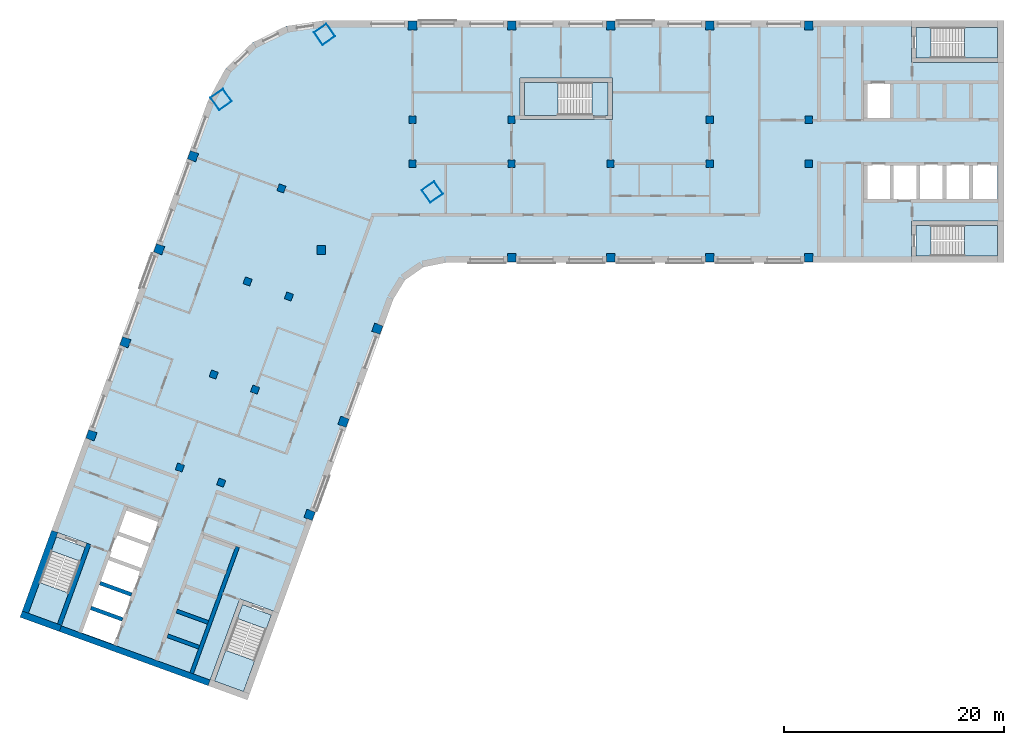
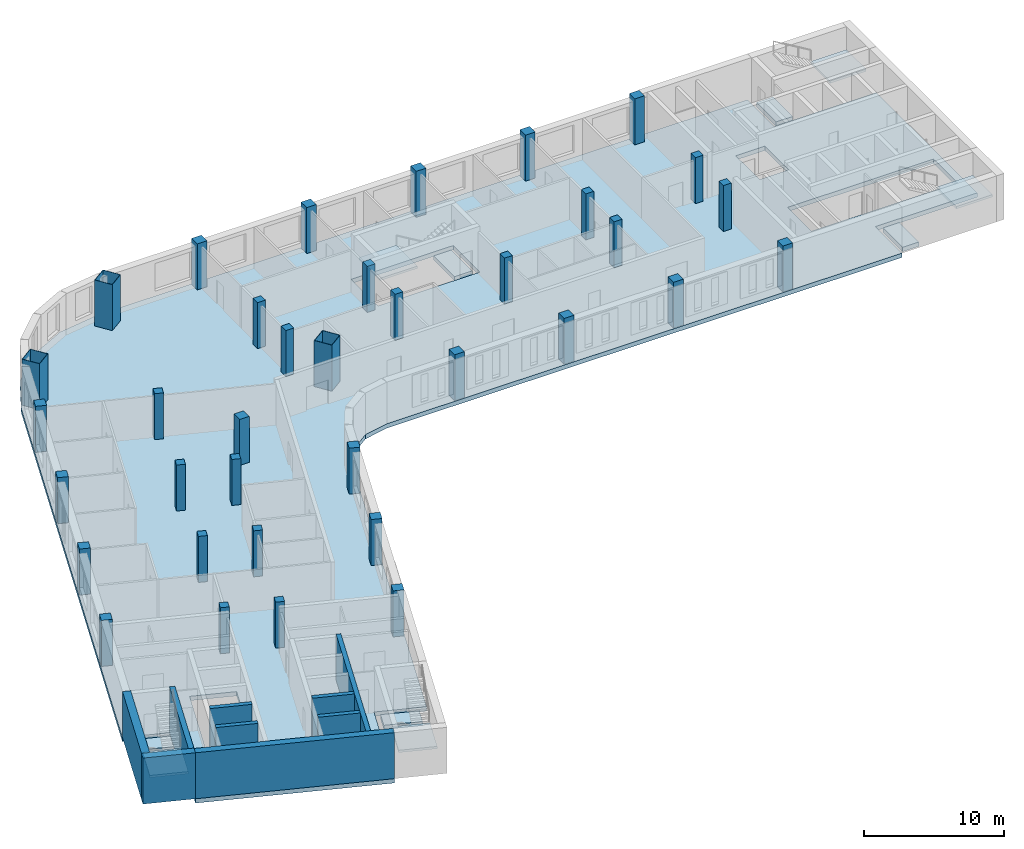
# One storey, part 1 of 9: 36 columns, 11 slabs, 9 walls, 5 elements without a shape of their own.
"""IFC4 building model written with IfcOpenShell, lengths in metres."""

import ifcopenshell
import ifcopenshell.guid

model = None  # the IFC model being written
_history = None  # IfcOwnerHistory: only IFC2X3 demands one
_inside = {}  # id of a spatial element -> (the spatial element, [elements in it])
_under = {}  # id of a project, library or spatial element -> (it, [spatial elements below it])
_declared = {}  # id of a project -> (the project, [libraries it declares])
_typed = {}  # id of a type object -> (the type object, [elements of that type])
_made_of = {}  # id of a material, layer set ... -> (it, [elements and type objects made of it])


def new_model(schema):
    """Start an empty IFC model of exactly this schema.

    Asked for "IFC4X3", IfcOpenShell would pick the latest addendum, in which some entities
    have other attributes; the version numbers below select the first issue.
    IFC2X3 requires an IfcOwnerHistory on every rooted entity: one is made here for all.
    """
    global model, _history
    if schema == "IFC4X3":
        model = ifcopenshell.file(schema_version=(4, 3, 0, 0))
    else:
        model = ifcopenshell.file(schema=schema)
    _inside.clear()
    _under.clear()
    _declared.clear()
    _typed.clear()
    _made_of.clear()
    _history = None
    if model.schema == "IFC2X3":
        org = make("IfcOrganization", Name="unknown")
        user = make(
            "IfcPersonAndOrganization",
            ThePerson=make("IfcPerson", FamilyName="unknown"),
            TheOrganization=org,
        )
        app = make(
            "IfcApplication",
            ApplicationDeveloper=org,
            Version="unknown",
            ApplicationFullName="unknown",
            ApplicationIdentifier="unknown",
        )
        _history = make(
            "IfcOwnerHistory",
            OwningUser=user,
            OwningApplication=app,
            ChangeAction="ADDED",
            CreationDate=0,
        )
    return model


def make(cls, **values):
    """One entity of the class cls with the attributes given. An attribute that is None is left unset."""
    return model.create_entity(
        cls, **{name: value for name, value in values.items() if value is not None}
    )


def rooted(cls, **values):
    """An entity with a GlobalId (a new one), such as an element, a storey or a relation."""
    return make(cls, GlobalId=ifcopenshell.guid.new(), OwnerHistory=_history, **values)


def si_unit(unit_type, name, prefix=None):
    """IfcSIUnit, for example si_unit("LENGTHUNIT", "METRE", prefix="MILLI")."""
    return make("IfcSIUnit", UnitType=unit_type, Prefix=prefix, Name=name)


def assignment(units):
    """IfcUnitAssignment: the units of a project."""
    return None if units is None else make("IfcUnitAssignment", Units=units)


def point(xyz):
    """IfcCartesianPoint."""
    return None if xyz is None else make("IfcCartesianPoint", Coordinates=xyz)


def direction(xyz):
    """IfcDirection."""
    return None if xyz is None else make("IfcDirection", DirectionRatios=xyz)


def frame(location, z_axis=None, x_axis=None):
    """IfcAxis2Placement3D, a coordinate frame: its origin and axes. An axis left out is left unset."""
    return make(
        "IfcAxis2Placement3D",
        Location=point(location),
        Axis=direction(z_axis),
        RefDirection=direction(x_axis),
    )


def frame_2d(location, x_axis=None):
    """IfcAxis2Placement2D, a coordinate frame in the plane: its origin and x axis."""
    return make(
        "IfcAxis2Placement2D", Location=point(location), RefDirection=direction(x_axis)
    )


def origin():
    """The frame at (0, 0, 0) with its axes left unset."""
    return frame((0.0, 0.0, 0.0))


def origin_2d():
    """The frame at (0, 0) in the plane with its x axis left unset."""
    return frame_2d((0.0, 0.0))


def place(relative_to, where):
    """IfcLocalPlacement: puts the frame where relative to a parent placement (None: the world)."""
    return make(
        "IfcLocalPlacement", PlacementRelTo=relative_to, RelativePlacement=where
    )


def context(
    kind, dimensions, precision=None, world=None, true_north=None, identifier=None
):
    """IfcGeometricRepresentationContext, for example the 3D "Model" context."""
    return make(
        "IfcGeometricRepresentationContext",
        ContextIdentifier=identifier,
        ContextType=kind,
        CoordinateSpaceDimension=dimensions,
        Precision=precision,
        WorldCoordinateSystem=world,
        TrueNorth=true_north,
    )


def subcontext(parent, identifier, kind, view, scale=None):
    """IfcGeometricRepresentationSubContext, for example "Body" below "Model"."""
    return make(
        "IfcGeometricRepresentationSubContext",
        ContextIdentifier=identifier,
        ContextType=kind,
        ParentContext=parent,
        TargetScale=scale,
        TargetView=view,
    )


def project(units=None, contexts=None):
    """IfcProject with its units and contexts."""
    return rooted(
        "IfcProject",
        Name="project",
        RepresentationContexts=contexts,
        UnitsInContext=assignment(units),
    )


def spatial(cls, under=None, at=None, **own):
    """A site, building, storey or space (cls), placed at a placement, below another one or the project."""
    s = rooted(cls, ObjectPlacement=at, **own)
    if under is not None:
        _under.setdefault(under.id(), (under, []))[1].append(s)
    return s


def polyline(points):
    """IfcPolyline through the points."""
    return make("IfcPolyline", Points=[point(p) for p in points])


def profile(cls, at=None, kind="AREA", **sizes):
    """A parametric profile (cls). Its sizes go by their IFC names, for example OverallWidth=200.0."""
    return make(cls, ProfileType=kind, Position=at, **sizes)


def rectangle(**sizes):
    """IfcRectangleProfileDef."""
    return profile("IfcRectangleProfileDef", **sizes)


def hollow_rectangle(**sizes):
    """IfcRectangleHollowProfileDef."""
    return profile("IfcRectangleHollowProfileDef", **sizes)


def outline(outer, holes=None, kind="AREA"):
    """IfcArbitraryClosedProfileDef: a profile drawn as a closed curve; with holes, ...WithVoids."""
    if holes is None:
        return make("IfcArbitraryClosedProfileDef", ProfileType=kind, OuterCurve=outer)
    return make(
        "IfcArbitraryProfileDefWithVoids",
        ProfileType=kind,
        OuterCurve=outer,
        InnerCurves=holes,
    )


def extrude(swept, where, along, depth):
    """IfcExtrudedAreaSolid: the profile swept, set in the frame where, extruded along a direction by depth."""
    return make(
        "IfcExtrudedAreaSolid",
        SweptArea=swept,
        Position=where,
        ExtrudedDirection=direction(along),
        Depth=depth,
    )


def shape(context_of_items, identifier, shape_type, items):
    """IfcShapeRepresentation: the items that make up one representation, for example the "Body"."""
    return make(
        "IfcShapeRepresentation",
        ContextOfItems=context_of_items,
        RepresentationIdentifier=identifier,
        RepresentationType=shape_type,
        Items=items,
    )


def material(Name=None, Category=None):
    """IfcMaterial."""
    return make("IfcMaterial", Name=Name, Category=Category)


def layer(
    of_material, thickness, ventilated=None, Name=None, Category=None, Priority=None
):
    """IfcMaterialLayer: one layer of a wall or slab, of a material (None: an air gap)."""
    return make(
        "IfcMaterialLayer",
        Material=of_material,
        LayerThickness=thickness,
        IsVentilated=ventilated,
        Name=Name,
        Category=Category,
        Priority=Priority,
    )


def layer_set(layers, Name=None):
    """IfcMaterialLayerSet."""
    return make("IfcMaterialLayerSet", MaterialLayers=layers, LayerSetName=Name)


def material_profile(
    of_material, cross_section, Name=None, Category=None, Priority=None
):
    """IfcMaterialProfile: a cross section and its material."""
    return make(
        "IfcMaterialProfile",
        Name=Name,
        Material=of_material,
        Profile=cross_section,
        Priority=Priority,
        Category=Category,
    )


def profile_set(profiles, Name=None, composite=None):
    """IfcMaterialProfileSet."""
    return make(
        "IfcMaterialProfileSet",
        Name=Name,
        MaterialProfiles=profiles,
        CompositeProfile=composite,
    )


def made_of(thing, what):
    """Note that an element or type object is made of a material, layer set ...; save() writes the relation."""
    if what is not None:
        _made_of.setdefault(what.id(), (what, []))[1].append(thing)
    return thing


def type_object(cls, material=None, **own):
    """A type object (cls), such as IfcWallType, which elements share."""
    return made_of(rooted(cls, **own), material)


def element(
    cls,
    number,
    at=None,
    inside=None,
    cuts=None,
    type_object=None,
    material=None,
    context=None,
    identifier="Body",
    shape_type=None,
    held_by="IfcProductDefinitionShape",
    body=None,
    shapes=None,
    **own,
):
    """One element of the class cls, such as IfcWall. Its Tag is "e" and its number.

    at: its placement. inside: the storey or other place that contains it. cuts: it is an
    opening in that element (IfcRelVoidsElement). A single representation is given by context,
    identifier, shape_type and body (its items); several are given by shapes. held_by: the class
    of the entity that holds the representations. save() writes the other relations.
    """
    e = rooted(cls, Tag="e%d" % number, ObjectPlacement=at, **own)
    if body is not None:
        shapes = [shape(context, identifier, shape_type, body)]
    if shapes is not None:
        e.Representation = make(held_by, Representations=shapes)
    if inside is not None:
        _inside.setdefault(inside.id(), (inside, []))[1].append(e)
    if cuts is not None:
        rooted(
            "IfcRelVoidsElement", RelatingBuildingElement=cuts, RelatedOpeningElement=e
        )
    if type_object is not None:
        _typed.setdefault(type_object.id(), (type_object, []))[1].append(e)
    return made_of(e, material)


def aggregate(whole, parts):
    """IfcRelAggregates: a whole, such as a stair, and the parts it consists of."""
    return rooted("IfcRelAggregates", RelatingObject=whole, RelatedObjects=parts)


def save(model, path):
    """Write the relations noted so far, then the file.

    IfcRelAggregates (storeys below a building ...), IfcRelContainedInSpatialStructure (elements
    in a storey), IfcRelDefinesByType, IfcRelAssociatesMaterial and IfcRelDeclares: one each for
    every whole, place, type object, material and project.
    """
    for whole, parts in _under.values():
        aggregate(whole, parts)
    for where, things in _inside.values():
        rooted(
            "IfcRelContainedInSpatialStructure",
            RelatedElements=things,
            RelatingStructure=where,
        )
    for kind, things in _typed.values():
        rooted("IfcRelDefinesByType", RelatedObjects=things, RelatingType=kind)
    for what, things in _made_of.values():
        rooted("IfcRelAssociatesMaterial", RelatedObjects=things, RelatingMaterial=what)
    for by, libraries in _declared.values():
        rooted("IfcRelDeclares", RelatingContext=by, RelatedDefinitions=libraries)
    model.write(path)


model = new_model("IFC4")

# Units and contexts
model_context = context("Model", 3, precision=1e-05, world=origin(), true_north=direction((0.0, 1.0)))
body_context = subcontext(model_context, "Body", "Model", "MODEL_VIEW")
ifc_project = project(units=[si_unit("LENGTHUNIT", "METRE"), si_unit("AREAUNIT", "SQUARE_METRE"), si_unit("VOLUMEUNIT", "CUBIC_METRE"), si_unit("PLANEANGLEUNIT", "RADIAN"), si_unit("MASSUNIT", "GRAM", prefix="KILO")], contexts=[model_context])

# Site, building, storey
site_placement = place(None, origin())
site = spatial("IfcSite", under=ifc_project, at=site_placement, CompositionType="ELEMENT")
building_placement = place(site_placement, origin())
building = spatial("IfcBuilding", under=site, at=building_placement, Name="Skarvind Civic Tower", CompositionType="ELEMENT")
storey_placement = place(building_placement, frame((0.0, 0.0, 158.5)))
storey = spatial("IfcBuildingStorey", under=building, at=storey_placement, Name="L37", CompositionType="ELEMENT", Elevation=158.5)

# Columns
ifc_material_1 = material(Name="Concrete C60", Category="concrete")
ifc_material_profile_1 = material_profile(ifc_material_1, rectangle(XDim=0.64990234375, YDim=0.64990234375, at=origin_2d()), Name="RC-650x650")
ifc_profile_set_1 = profile_set([ifc_material_profile_1], Name="Concrete C60")
column_type_1 = type_object("IfcColumnType", Name="Column RC-650x650 C60", PredefinedType="COLUMN", material=ifc_profile_set_1)
for number, where, z_axis, x_axis, name in (
    (1, (54.25, 130.0, 0.0), (0.0, 0.0, 1.0), (1.0, 0.0, 0.0), "Column wing 1 north inner 02 L37"),
    (2, (63.25, 130.0, 0.0), (0.0, 0.0, 1.0), (1.0, 0.0, 0.0), "Column wing 1 north inner 03 L37"),
    (3, (81.25, 130.0, 0.0), (0.0, 0.0, 1.0), (1.0, 0.0, 0.0), "Column wing 1 north inner 05 L37"),
    (4, (90.25, 130.0, 0.0), (0.0, 0.0, 1.0), (1.0, 0.0, 0.0), "Column wing 1 north inner 06 L37"),
    (5, (54.25, 126.0, 0.0), (0.0, 0.0, 1.0), (1.0, 0.0, 0.0), "Column wing 1 south inner 02 L37"),
    (6, (63.25, 126.0, 0.0), (0.0, 0.0, 1.0), (1.0, 0.0, 0.0), "Column wing 1 south inner 03 L37"),
    (7, (72.25, 126.0, 0.0), (0.0, 0.0, 1.0), (1.0, 0.0, 0.0), "Column wing 1 south inner 04 L37"),
    (8, (81.25, 126.0, 0.0), (0.0, 0.0, 1.0), (1.0, 0.0, 0.0), "Column wing 1 south inner 05 L37"),
    (9, (90.25, 126.0, 0.0), (0.0, 0.0, 1.0), (1.0, 0.0, 0.0), "Column wing 1 south inner 06 L37"),
    (10, (43.005615234375, 113.92529296875, 0.0), (0.0, 0.0, 1.0), (-0.342020143326, -0.939692620786, 0.0), "Column wing 2 left inner 02 L37"),
    (11, (39.927490234375, 105.468017578125, 0.0), (0.0, 0.0, 1.0), (-0.342020143326, -0.939692620786, 0.0), "Column wing 2 left inner 03 L37"),
    (12, (36.84912109375, 97.010986328125, 0.0), (0.0, 0.0, 1.0), (-0.342020143326, -0.939692620786, 0.0), "Column wing 2 left inner 04 L37"),
    (13, (42.324951171875, 123.750732421875, 0.0), (0.0, 0.0, 1.0), (-0.342020143326, -0.939692620786, 0.0), "Column wing 2 right inner 01 L37"),
    (14, (39.246826171875, 115.29345703125, 0.0), (0.0, 0.0, 1.0), (-0.342020143326, -0.939692620786, 0.0), "Column wing 2 right inner 02 L37"),
    (15, (36.168701171875, 106.836181640625, 0.0), (0.0, 0.0, 1.0), (-0.342020143326, -0.939692620786, 0.0), "Column wing 2 right inner 03 L37"),
    (16, (33.090576171875, 98.37890625, 0.0), (0.0, 0.0, 1.0), (-0.342020143326, -0.939692620786, 0.0), "Column wing 2 right inner 04 L37"),
):
    element("IfcColumn", number, at=place(storey_placement, frame(where, z_axis=z_axis, x_axis=x_axis)), inside=storey, type_object=column_type_1, Name=name, PredefinedType="COLUMN", context=body_context, shape_type="SweptSolid", body=[
        extrude(rectangle(XDim=0.64990234375, YDim=0.64990234375, at=origin_2d()), origin(), (0.0, 0.0, 1.0), 4.0),
    ])
ifc_material_profile_2 = material_profile(ifc_material_1, rectangle(XDim=0.800048828125, YDim=0.800048828125, at=origin_2d()), Name="RC-800x800")
ifc_profile_set_2 = profile_set([ifc_material_profile_2], Name="Concrete C60")
column_type_2 = type_object("IfcColumnType", Name="Column RC-800x800 C60", PredefinedType="COLUMN", material=ifc_profile_set_2)
for number, where, z_axis, x_axis, name in (
    (17, (54.25, 138.550048828125, 0.0), (0.0, 0.0, 1.0), (1.0, 0.0, 0.0), "Column wing 1 north perimeter 02 L37"),
    (18, (63.25, 138.550048828125, 0.0), (0.0, 0.0, 1.0), (1.0, 0.0, 0.0), "Column wing 1 north perimeter 03 L37"),
    (19, (72.25, 138.550048828125, 0.0), (0.0, 0.0, 1.0), (1.0, 0.0, 0.0), "Column wing 1 north perimeter 04 L37"),
    (20, (81.25, 138.550048828125, 0.0), (0.0, 0.0, 1.0), (1.0, 0.0, 0.0), "Column wing 1 north perimeter 05 L37"),
    (21, (90.25, 138.550048828125, 0.0), (0.0, 0.0, 1.0), (1.0, 0.0, 0.0), "Column wing 1 north perimeter 06 L37"),
    (22, (45.95166015625, 118.151611328125, 0.0), (0.0, 0.0, 1.0), (1.0, 0.0, 0.0), "Column wing 1 south perimeter 01 L37"),
    (23, (63.25, 117.449951171875, 0.0), (0.0, 0.0, 1.0), (1.0, 0.0, 0.0), "Column wing 1 south perimeter 03 L37"),
    (24, (72.25, 117.449951171875, 0.0), (0.0, 0.0, 1.0), (1.0, 0.0, 0.0), "Column wing 1 south perimeter 04 L37"),
    (25, (81.25, 117.449951171875, 0.0), (0.0, 0.0, 1.0), (1.0, 0.0, 0.0), "Column wing 1 south perimeter 05 L37"),
    (26, (90.25, 117.449951171875, 0.0), (0.0, 0.0, 1.0), (1.0, 0.0, 0.0), "Column wing 1 south perimeter 06 L37"),
    (27, (51.0400390625, 111.0009765625, 0.0), (0.0, 0.0, 1.0), (-0.342020143326, -0.939692620786, 0.0), "Column wing 2 left perimeter 02 L37"),
    (28, (47.961669921875, 102.5439453125, 0.0), (0.0, 0.0, 1.0), (-0.342020143326, -0.939692620786, 0.0), "Column wing 2 left perimeter 03 L37"),
    (29, (44.883544921875, 94.086669921875, 0.0), (0.0, 0.0, 1.0), (-0.342020143326, -0.939692620786, 0.0), "Column wing 2 left perimeter 04 L37"),
    (30, (34.29052734375, 126.6748046875, 0.0), (0.0, 0.0, 1.0), (-0.342020143326, -0.939692620786, 0.0), "Column wing 2 right perimeter 01 L37"),
    (31, (31.21240234375, 118.2177734375, 0.0), (0.0, 0.0, 1.0), (-0.342020143326, -0.939692620786, 0.0), "Column wing 2 right perimeter 02 L37"),
    (32, (28.13427734375, 109.760498046875, 0.0), (0.0, 0.0, 1.0), (-0.342020143326, -0.939692620786, 0.0), "Column wing 2 right perimeter 03 L37"),
    (33, (25.05615234375, 101.30322265625, 0.0), (0.0, 0.0, 1.0), (-0.342020143326, -0.939692620786, 0.0), "Column wing 2 right perimeter 04 L37"),
):
    element("IfcColumn", number, at=place(storey_placement, frame(where, z_axis=z_axis, x_axis=x_axis)), inside=storey, type_object=column_type_2, Name=name, PredefinedType="COLUMN", context=body_context, shape_type="SweptSolid", body=[
        extrude(rectangle(XDim=0.800048828125, YDim=0.800048828125, at=origin_2d()), origin(), (0.0, 0.0, 1.0), 4.0),
    ])
ifc_material_2 = material(Name="Composite concrete-filled steel tube, Steel SM355 with Concrete C80", Category="concrete")
ifc_material_profile_3 = material_profile(ifc_material_2, hollow_rectangle(XDim=1.39990234375, YDim=1.39990234375, WallThickness=0.031982421875, at=origin_2d()), Name="BOX-1400x1400x32")
ifc_profile_set_3 = profile_set([ifc_material_profile_3], Name="Composite concrete-filled steel tube, Steel SM355 with Concrete C80")
column_type_3 = type_object("IfcColumnType", Name="Mega column BOX-1400x1400x32 filled C80", PredefinedType="COLUMN", material=ifc_profile_set_3)
for number, where, z_axis, x_axis, name in (
    (34, (36.845947265625, 131.837646484375, 0.0), (0.0, 0.0, 1.0), (0.573576436351, -0.819152044289, 0.0), "Mega column 1 L37"),
    (35, (46.2470703125, 137.762451171875, 0.0), (0.0, 0.0, 1.0), (0.573576436351, -0.819152044289, 0.0), "Mega column 2 L37"),
    (36, (56.0361328125, 123.43017578125, 0.0), (0.0, 0.0, 1.0), (0.573576436351, -0.819152044289, 0.0), "Mega column 4 L37"),
):
    element("IfcColumn", number, at=place(storey_placement, frame(where, z_axis=z_axis, x_axis=x_axis)), inside=storey, type_object=column_type_3, Name=name, PredefinedType="COLUMN", context=body_context, shape_type="SweptSolid", body=[
        extrude(hollow_rectangle(XDim=1.39990234375, YDim=1.39990234375, WallThickness=0.031982421875, at=origin_2d()), origin(), (0.0, 0.0, 1.0), 4.0),
    ])

# Slabs
ifc_material_3 = material(Name="Concrete C50", Category="concrete")
ifc_layer_1 = layer(ifc_material_3, 0.375)
ifc_layer_set_1 = layer_set([ifc_layer_1], Name="Floor slab 375 C50")
slab_type_1 = type_object("IfcSlabType", Name="Floor slab 375 C50", PredefinedType="FLOOR", material=ifc_layer_set_1)
slab_1_placement = place(storey_placement, frame((0.0, 0.0, -0.375)))
element("IfcSlab", 37, at=slab_1_placement, inside=storey, type_object=slab_type_1, Name="Floor slab L37 1", PredefinedType="FLOOR", context=body_context, shape_type="SweptSolid", body=[
    extrude(outline(polyline([(99.60009765625, 117.0), (99.60009765625, 120.800048828125), (108.0, 120.800048828125), (108.0, 135.199951171875), (99.60009765625, 135.199951171875), (99.60009765625, 139.0), (46.095458984375, 139.0), (42.739501953125, 138.5009765625), (39.6943359375, 137.005615234375), (37.24755859375, 134.6552734375), (35.630615234375, 131.672607421875), (19.41748046875, 87.126708984375), (21.435302734375, 92.6708984375), (25.006103515625, 91.371337890625), (22.13330078125, 83.477783203125), (36.886474609375, 78.108154296875), (35.664794921875, 78.552734375), (38.53759765625, 86.4462890625), (42.108642578125, 85.146484375), (40.0908203125, 79.602294921875), (40.0908203125, 79.602294921875), (52.493896484375, 113.68017578125), (53.560791015625, 115.421630859375), (55.23388671875, 116.593017578125), (57.235107421875, 117.0), (99.60009765625, 117.0)]), holes=[polyline([(25.671630859375, 87.9365234375), (26.492431640625, 90.19189453125), (27.313232421875, 92.447021484375), (28.134033203125, 94.702392578125), (31.3291015625, 93.53955078125), (30.50830078125, 91.2841796875), (29.6875, 89.029052734375), (28.866455078125, 86.773681640625), (28.866455078125, 86.773681640625), (28.045654296875, 84.5185546875), (27.224853515625, 82.26318359375), (24.02978515625, 83.426025390625), (24.8505859375, 85.681396484375), (25.671630859375, 87.9365234375), (25.671630859375, 87.9365234375)]), polyline([(64.0, 130.0), (64.0, 133.800048828125), (72.39990234375, 133.800048828125), (72.39990234375, 130.0), (64.0, 130.0)]), polyline([(97.800048828125, 126.0), (100.199951171875, 126.0), (102.60009765625, 126.0), (105.0, 126.0), (107.39990234375, 126.0), (107.39990234375, 122.60009765625), (105.0, 122.60009765625), (102.60009765625, 122.60009765625), (100.199951171875, 122.60009765625), (97.800048828125, 122.60009765625), (95.39990234375, 122.60009765625), (95.39990234375, 126.0), (97.800048828125, 126.0)]), polyline([(97.800048828125, 133.39990234375), (97.800048828125, 130.0), (95.39990234375, 130.0), (95.39990234375, 133.39990234375), (97.800048828125, 133.39990234375)])]), origin(), (0.0, 0.0, 1.0), 0.375),
])
ifc_material_4 = material(Name="Concrete C40/50", Category="concrete")
ifc_layer_2 = layer(ifc_material_4, 0.375)
ifc_layer_set_2 = layer_set([ifc_layer_2], Name="Stair floor landing slab 375")
slab_type_2 = type_object("IfcSlabType", Name="Stair floor landing slab 375", PredefinedType="LANDING", material=ifc_layer_set_2)
slab_2_placement = place(storey_placement, frame((0.0, 0.0, -0.375)))
element("IfcSlab", 38, at=slab_2_placement, inside=storey, type_object=slab_type_2, Name="Stair floor landing", PredefinedType="LANDING", context=body_context, shape_type="SweptSolid", body=[
    extrude(outline(polyline([(101.3505859375, 138.400634765625), (101.3505859375, 135.599365234375), (99.99951171875, 135.599365234375), (99.99951171875, 138.400634765625), (101.3505859375, 138.400634765625)])), origin(), (0.0, 0.0, 1.0), 0.375),
])
slab_3_placement = place(storey_placement, frame((0.0, 0.0, -0.375)))
element("IfcSlab", 39, at=slab_3_placement, inside=storey, type_object=slab_type_2, Name="Stair floor landing", PredefinedType="LANDING", context=body_context, shape_type="SweptSolid", body=[
    extrude(outline(polyline([(101.3505859375, 120.400634765625), (101.3505859375, 117.599365234375), (99.99951171875, 117.599365234375), (99.99951171875, 120.400634765625), (101.3505859375, 120.400634765625)])), origin(), (0.0, 0.0, 1.0), 0.375),
])
slab_4_placement = place(storey_placement, frame((0.0, 0.0, -0.375)))
element("IfcSlab", 40, at=slab_4_placement, inside=storey, type_object=slab_type_2, Name="Stair floor landing", PredefinedType="LANDING", context=body_context, shape_type="SweptSolid", body=[
    extrude(outline(polyline([(40.946533203125, 83.70654296875), (38.314208984375, 84.66455078125), (38.7763671875, 85.934326171875), (41.40869140625, 84.976318359375), (40.946533203125, 83.70654296875)])), origin(), (0.0, 0.0, 1.0), 0.375),
])
slab_5_placement = place(storey_placement, frame((0.0, 0.0, -0.375)))
element("IfcSlab", 41, at=slab_5_placement, inside=storey, type_object=slab_type_2, Name="Stair floor landing", PredefinedType="LANDING", context=body_context, shape_type="SweptSolid", body=[
    extrude(outline(polyline([(24.0322265625, 89.863037109375), (21.39990234375, 90.821044921875), (21.862060546875, 92.090576171875), (24.494384765625, 91.132568359375), (24.0322265625, 89.863037109375)])), origin(), (0.0, 0.0, 1.0), 0.375),
])
slab_6_placement = place(storey_placement, frame((0.0, 0.0, -0.375)))
element("IfcSlab", 42, at=slab_6_placement, inside=storey, type_object=slab_type_2, Name="Stair floor landing", PredefinedType="LANDING", context=body_context, shape_type="SweptSolid", body=[
    extrude(outline(polyline([(70.54931640625, 130.3994140625), (70.54931640625, 133.400634765625), (72.00048828125, 133.400634765625), (72.00048828125, 130.3994140625), (70.54931640625, 130.3994140625)])), origin(), (0.0, 0.0, 1.0), 0.375),
])

# Stair, slab
stair_type_1 = type_object("IfcStairType", Name="Exit stair, half-turn, concrete", PredefinedType="HALF_TURN_STAIR", material=ifc_material_4)
stair_1_placement = place(storey_placement, origin())
stair_1 = element("IfcStair", 43, at=stair_1_placement, inside=storey, type_object=stair_type_1, Name="Exit stair C1S", PredefinedType="HALF_TURN_STAIR")
ifc_layer_3 = layer(ifc_material_4, 0.199951171875)
ifc_layer_set_3 = layer_set([ifc_layer_3], Name="Stair half landing slab")
slab_type_3 = type_object("IfcSlabType", Name="Stair half landing slab", PredefinedType="LANDING", material=ifc_layer_set_3)
slab_7_placement = place(storey_placement, frame((0.0, 0.0, 1.800048828125)))
slab_7 = element("IfcSlab", 44, at=slab_7_placement, type_object=slab_type_3, Name="ST-C1S landing 1", PredefinedType="LANDING", context=body_context, shape_type="SweptSolid", body=[
    extrude(outline(polyline([(104.429443359375, 135.599365234375), (104.429443359375, 138.400634765625), (107.400634765625, 138.400634765625), (107.400634765625, 135.599365234375), (104.429443359375, 135.599365234375)])), origin(), (0.0, 0.0, 1.0), 0.199951171875),
])
aggregate(stair_1, [slab_7])

stair_2_placement = place(storey_placement, origin())
stair_2 = element("IfcStair", 45, at=stair_2_placement, inside=storey, type_object=stair_type_1, Name="Exit stair C1N", PredefinedType="HALF_TURN_STAIR")
slab_8_placement = place(storey_placement, frame((0.0, 0.0, 1.800048828125)))
slab_8 = element("IfcSlab", 46, at=slab_8_placement, type_object=slab_type_3, Name="ST-C1N landing 1", PredefinedType="LANDING", context=body_context, shape_type="SweptSolid", body=[
    extrude(outline(polyline([(104.429443359375, 117.599365234375), (104.429443359375, 120.400634765625), (107.400634765625, 120.400634765625), (107.400634765625, 117.599365234375), (104.429443359375, 117.599365234375)])), origin(), (0.0, 0.0, 1.0), 0.199951171875),
])
aggregate(stair_2, [slab_8])

stair_3_placement = place(storey_placement, origin())
stair_3 = element("IfcStair", 47, at=stair_3_placement, inside=storey, type_object=stair_type_1, Name="Exit stair C2S", PredefinedType="HALF_TURN_STAIR")
slab_9_placement = place(storey_placement, frame((0.0, 0.0, 1.800048828125)))
slab_9 = element("IfcSlab", 48, at=slab_9_placement, type_object=slab_type_3, Name="ST-C2S landing 1", PredefinedType="LANDING", context=body_context, shape_type="SweptSolid", body=[
    extrude(outline(polyline([(37.26123046875, 81.771484375), (39.8935546875, 80.8134765625), (38.87744140625, 78.021484375), (36.2451171875, 78.9794921875), (37.26123046875, 81.771484375)])), origin(), (0.0, 0.0, 1.0), 0.199951171875),
])
aggregate(stair_3, [slab_9])

stair_4_placement = place(storey_placement, origin())
stair_4 = element("IfcStair", 49, at=stair_4_placement, inside=storey, type_object=stair_type_1, Name="Exit stair C2N", PredefinedType="HALF_TURN_STAIR")
slab_10_placement = place(storey_placement, frame((0.0, 0.0, 1.800048828125)))
slab_10 = element("IfcSlab", 50, at=slab_10_placement, type_object=slab_type_3, Name="ST-C2N landing 1", PredefinedType="LANDING", context=body_context, shape_type="SweptSolid", body=[
    extrude(outline(polyline([(20.346923828125, 87.927734375), (22.97900390625, 86.9697265625), (21.962890625, 84.177734375), (19.33056640625, 85.1357421875), (20.346923828125, 87.927734375)])), origin(), (0.0, 0.0, 1.0), 0.199951171875),
])
aggregate(stair_4, [slab_10])

stair_type_2 = type_object("IfcStairType", Name="Exit stair 1450, half-turn, concrete", PredefinedType="HALF_TURN_STAIR", material=ifc_material_4)
stair_5_placement = place(storey_placement, origin())
stair_5 = element("IfcStair", 51, at=stair_5_placement, inside=storey, type_object=stair_type_2, Name="Exit stair CM", PredefinedType="HALF_TURN_STAIR")
slab_11_placement = place(storey_placement, frame((0.0, 0.0, 1.800048828125)))
slab_11 = element("IfcSlab", 52, at=slab_11_placement, type_object=slab_type_3, Name="ST-CM landing 1", PredefinedType="LANDING", context=body_context, shape_type="SweptSolid", body=[
    extrude(outline(polyline([(67.470703125, 133.400634765625), (67.470703125, 130.3994140625), (64.3994140625, 130.3994140625), (64.3994140625, 133.400634765625), (67.470703125, 133.400634765625)])), origin(), (0.0, 0.0, 1.0), 0.199951171875),
])
aggregate(stair_5, [slab_11])

# Walls
ifc_layer_4 = layer(ifc_material_1, 0.35009765625)
ifc_layer_set_4 = layer_set([ifc_layer_4], Name="Core wall 350 C60")
wall_type_1 = type_object("IfcWallType", Name="Core wall 350 C60", PredefinedType="SHEAR", material=ifc_layer_set_4)
wall_1_placement = place(storey_placement, frame((34.161376953125, 79.685302734375, 0.0), z_axis=(0.0, 0.0, 1.0), x_axis=(0.34201563943, 0.939694260058, 0.0)))
element("IfcWall", 53, at=wall_1_placement, inside=storey, type_object=wall_type_1, Name="Core wall C2 south lift row back L37", PredefinedType="SHEAR", context=body_context, shape_type="SweptSolid", body=[
    extrude(rectangle(XDim=12.22509765625, YDim=0.35009765625, at=frame_2d((6.112548828125, 0.0))), origin(), (0.0, 0.0, 1.0), 4.0),
])
wall_2_placement = place(storey_placement, frame((34.8349609375, 82.04736328125, 0.0), z_axis=(0.0, 0.0, 1.0), x_axis=(-0.939683528043, 0.3420451244, 0.0)))
element("IfcWall", 54, at=wall_2_placement, inside=storey, type_object=wall_type_1, Name="Core wall C2 south lift row division 1 L37", PredefinedType="SHEAR", context=body_context, shape_type="SweptSolid", body=[
    extrude(rectangle(XDim=3.050048828125, YDim=0.35009765625, at=frame_2d((1.52490234375, 0.0))), origin(), (0.0, 0.0, 1.0), 4.0),
])
wall_3_placement = place(storey_placement, frame((35.65576171875, 84.302734375, 0.0), z_axis=(0.0, 0.0, 1.0), x_axis=(-0.939709254651, 0.341974438698, 0.0)))
element("IfcWall", 55, at=wall_3_placement, inside=storey, type_object=wall_type_1, Name="Core wall C2 south lift row division 2 L37", PredefinedType="SHEAR", context=body_context, shape_type="SweptSolid", body=[
    extrude(rectangle(XDim=3.0498046875, YDim=0.35009765625, at=frame_2d((1.52490234375, 0.0))), origin(), (0.0, 0.0, 1.0), 4.0),
])
for number, where, z_axis, x_axis, name in (
    (56, (27.881103515625, 84.578369140625, 0.0), (0.0, 0.0, 1.0), (-0.939683528043, 0.3420451244, 0.0), "Core wall C2 north lift row division 1 L37"),
    (57, (28.7021484375, 86.83349609375, 0.0), (0.0, 0.0, 1.0), (-0.939692892192, 0.342019397644, 0.0), "Core wall C2 north lift row division 2 L37"),
):
    element("IfcWall", number, at=place(storey_placement, frame(where, z_axis=z_axis, x_axis=x_axis)), inside=storey, type_object=wall_type_1, Name=name, PredefinedType="SHEAR", context=body_context, shape_type="SweptSolid", body=[
        extrude(rectangle(XDim=3.050048828125, YDim=0.35009765625, at=frame_2d((1.52490234375, 0.0))), origin(), (0.0, 0.0, 1.0), 4.0),
    ])
ifc_layer_5 = layer(ifc_material_1, 0.39990234375)
ifc_layer_set_5 = layer_set([ifc_layer_5], Name="Core wall 400 C60")
wall_type_2 = type_object("IfcWallType", Name="Core wall 400 C60", PredefinedType="SHEAR", material=ifc_layer_set_5)
wall_4_placement = place(storey_placement, frame((22.150390625, 84.110107421875, 0.0), z_axis=(0.0, 0.0, 1.0), x_axis=(0.342016982193, 0.939693771338, 0.0)))
element("IfcWall", 58, at=wall_4_placement, inside=storey, type_object=wall_type_2, Name="Core wall C2 north stair inner L37", PredefinedType="SHEAR", context=body_context, shape_type="SweptSolid", body=[
    extrude(rectangle(XDim=7.800048828125, YDim=0.39990234375, at=frame_2d((3.89990234375, 0.0))), origin(), (0.0, 0.0, 1.0), 4.0),
])
ifc_layer_6 = layer(ifc_material_1, 0.550048828125)
ifc_layer_set_6 = layer_set([ifc_layer_6], Name="Core wall 550 C60")
wall_type_3 = type_object("IfcWallType", Name="Core wall 550 C60", PredefinedType="SHEAR", material=ifc_layer_set_6)
wall_5_placement = place(storey_placement, frame((35.7587890625, 78.811279296875, 0.0), z_axis=(0.0, 0.0, 1.0), x_axis=(-0.939692894512, 0.342019391267, 0.0)))
element("IfcWall", 59, at=wall_5_placement, inside=storey, type_object=wall_type_3, Name="Core wall C2 tip between the stairs L37", PredefinedType="SHEAR", context=body_context, shape_type="SweptSolid", body=[
    extrude(rectangle(XDim=14.39990234375, YDim=0.550048828125, at=frame_2d((7.199951171875, 0.0))), origin(), (0.0, 0.0, 1.0), 4.0),
])
ifc_layer_7 = layer(ifc_material_1, 0.60009765625)
ifc_layer_set_7 = layer_set([ifc_layer_7], Name="Core wall 600 C60")
wall_type_4 = type_object("IfcWallType", Name="Core wall 600 C60", PredefinedType="SHEAR", material=ifc_layer_set_7)
wall_6_placement = place(storey_placement, frame((22.23583984375, 83.759765625, 0.0), z_axis=(0.0, 0.0, 1.0), x_axis=(-0.939680822529, 0.342052557032, 0.0)))
element("IfcWall", 60, at=wall_6_placement, inside=storey, type_object=wall_type_4, Name="Core wall C2 tip at the north stair L37", PredefinedType="SHEAR", context=body_context, shape_type="SweptSolid", body=[
    extrude(rectangle(XDim=3.800048828125, YDim=0.60009765625, at=frame_2d((1.89990234375, 0.0))), origin(), (0.0, 0.0, 1.0), 4.0),
])
wall_7_placement = place(storey_placement, frame((19.049560546875, 85.23876953125, 0.0), z_axis=(0.0, 0.0, 1.0), x_axis=(0.342016982193, 0.939693771338, 0.0)))
element("IfcWall", 61, at=wall_7_placement, inside=storey, type_object=wall_type_4, Name="Core wall C2 north side at the stair L37", PredefinedType="SHEAR", context=body_context, shape_type="SweptSolid", body=[
    extrude(rectangle(XDim=7.800048828125, YDim=0.60009765625, at=frame_2d((3.89990234375, 0.0))), origin(), (0.0, 0.0, 1.0), 4.0),
])

save(model, "model.ifc")
